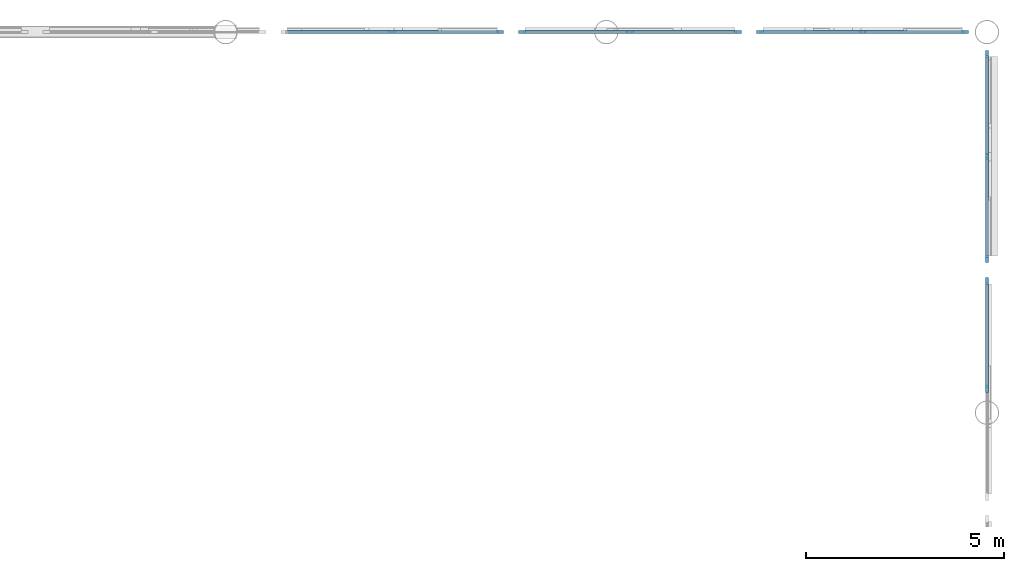
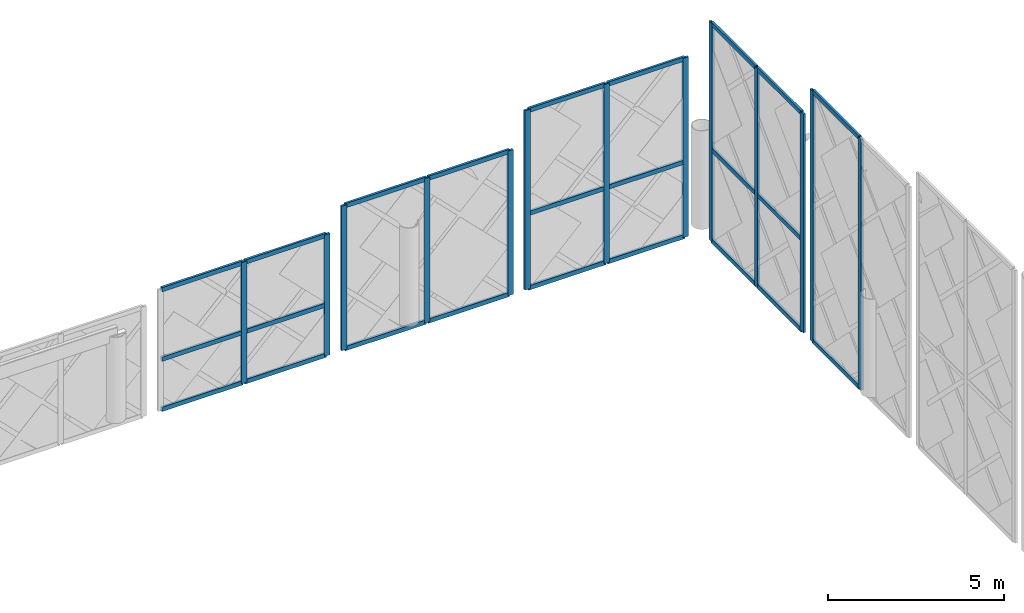
# One storey, part 23 of 53: 37 members, 5 elements without a shape of their own.
"""IFC4 building model written with IfcOpenShell, lengths in metres."""

from ifc_helpers import new_model, si_unit, direction, frame, origin, origin_2d, place, context, subcontext, project, spatial, rectangle, extrude, material, layer, layer_set, material_profile, profile_set, type_object, element, aggregate, save


model = new_model("IFC4")

# Units and contexts
model_context = context("Model", 3, precision=1e-05, world=origin(), true_north=direction((0.0, 1.0)))
body_context = subcontext(model_context, "Body", "Model", "MODEL_VIEW")
ifc_project = project(units=[si_unit("LENGTHUNIT", "METRE"), si_unit("AREAUNIT", "SQUARE_METRE"), si_unit("VOLUMEUNIT", "CUBIC_METRE"), si_unit("PLANEANGLEUNIT", "RADIAN"), si_unit("MASSUNIT", "GRAM", prefix="KILO")], contexts=[model_context])

# Site, building, storey
site_placement = place(None, origin())
site = spatial("IfcSite", under=ifc_project, at=site_placement, CompositionType="ELEMENT")
building_placement = place(site_placement, origin())
building = spatial("IfcBuilding", under=site, at=building_placement, Name="Zevrakil Square Congress Hotel", CompositionType="ELEMENT")
storey_placement = place(building_placement, frame((0.0, 0.0, 14.699951171875)))
storey = spatial("IfcBuildingStorey", under=building, at=storey_placement, Name="L04", CompositionType="ELEMENT", Elevation=14.699951171875)

# Curtain wall, members
ifc_material_1 = material(Name="Aluminium Anodised Bronze", Category="aluminium")
ifc_layer = layer(ifc_material_1, 0.179931640625)
ifc_layer_set = layer_set([ifc_layer], Name="Aluminium Anodised Bronze")
curtain_wall_type = type_object("IfcCurtainWallType", Name="CW-L01-560", PredefinedType="USERDEFINED", material=ifc_layer_set)
curtain_wall_1_placement = place(storey_placement, origin())
curtain_wall_1 = element("IfcCurtainWall", 1, at=curtain_wall_1_placement, inside=storey, type_object=curtain_wall_type, Name="L04 diamond curtain wall CW-L04-0081", ObjectType="GLAZED CURTAIN WALL", PredefinedType="USERDEFINED")
ifc_material_2 = material(Name="Aluminium Anodised Bronze", Category="aluminium")
ifc_material_profile_1 = material_profile(ifc_material_2, rectangle(XDim=0.074951171875, YDim=0.14990234375, at=origin_2d()), Name="ALU 75x150")
ifc_profile_set_1 = profile_set([ifc_material_profile_1], Name="Aluminium Anodised Bronze")
member_type_1 = type_object("IfcMemberType", Name="CWM-ALU75x150", PredefinedType="USERDEFINED", material=ifc_profile_set_1)
member_1_placement = place(storey_placement, frame((165.60009765625, 103.830078125, -0.22998046875), z_axis=(0.0, 1.0, 0.0), x_axis=(-1.0, 0.0, 0.0)))
member_1 = element("IfcMember", 2, at=member_1_placement, type_object=member_type_1, Name="CW-08 transom 2.1", ObjectType="TRANSOM", PredefinedType="USERDEFINED", context=body_context, shape_type="SweptSolid", body=[
    extrude(rectangle(XDim=0.074951171875, YDim=0.14990234375, at=origin_2d()), origin(), (0.0, 0.0, 1.0), 2.659912109375),
])
member_2_placement = place(storey_placement, frame((165.60009765625, 103.830078125, 8.39111328125), z_axis=(0.0, 1.0, 0.0), x_axis=(-1.0, 0.0, 0.0)))
member_2 = element("IfcMember", 3, at=member_2_placement, type_object=member_type_1, Name="CW-08 transom 2.2", ObjectType="TRANSOM", PredefinedType="USERDEFINED", context=body_context, shape_type="SweptSolid", body=[
    extrude(rectangle(XDim=0.074951171875, YDim=0.14990234375, at=origin_2d()), origin(), (0.0, 0.0, 1.0), 2.659912109375),
])

curtain_wall_2_placement = place(storey_placement, origin())
curtain_wall_2 = element("IfcCurtainWall", 4, at=curtain_wall_2_placement, inside=storey, type_object=curtain_wall_type, Name="L04 diamond curtain wall CW-L04-0082", ObjectType="GLAZED CURTAIN WALL", PredefinedType="USERDEFINED")
member_3_placement = place(storey_placement, frame((165.60009765625, 107.110107421875, -0.22998046875), z_axis=(0.0, 1.0, 0.0), x_axis=(-1.0, 0.0, 0.0)))
member_3 = element("IfcMember", 5, at=member_3_placement, type_object=member_type_1, Name="CW-08 transom 1.1", ObjectType="TRANSOM", PredefinedType="USERDEFINED", context=body_context, shape_type="SweptSolid", body=[
    extrude(rectangle(XDim=0.074951171875, YDim=0.14990234375, at=origin_2d()), origin(), (0.0, 0.0, 1.0), 2.52490234375),
])
member_4_placement = place(storey_placement, frame((165.60009765625, 107.110107421875, 2.91357421875), z_axis=(0.0, 1.0, 0.0), x_axis=(-1.0, 0.0, 0.0)))
member_4 = element("IfcMember", 6, at=member_4_placement, type_object=member_type_1, Name="CW-08 transom 1.2", ObjectType="TRANSOM", PredefinedType="USERDEFINED", context=body_context, shape_type="SweptSolid", body=[
    extrude(rectangle(XDim=0.074951171875, YDim=0.14990234375, at=origin_2d()), origin(), (0.0, 0.0, 1.0), 2.52490234375),
])
member_5_placement = place(storey_placement, frame((165.60009765625, 107.110107421875, 7.26611328125), z_axis=(0.0, 1.0, 0.0), x_axis=(-1.0, 0.0, 0.0)))
member_5 = element("IfcMember", 7, at=member_5_placement, type_object=member_type_1, Name="CW-08 transom 1.3", ObjectType="TRANSOM", PredefinedType="USERDEFINED", context=body_context, shape_type="SweptSolid", body=[
    extrude(rectangle(XDim=0.074951171875, YDim=0.14990234375, at=origin_2d()), origin(), (0.0, 0.0, 1.0), 2.52490234375),
])
member_6_placement = place(storey_placement, frame((165.60009765625, 109.695068359375, -0.22998046875), z_axis=(0.0, 1.0, 0.0), x_axis=(-1.0, 0.0, 0.0)))
member_6 = element("IfcMember", 8, at=member_6_placement, type_object=member_type_1, Name="CW-08 transom 2.1", ObjectType="TRANSOM", PredefinedType="USERDEFINED", context=body_context, shape_type="SweptSolid", body=[
    extrude(rectangle(XDim=0.074951171875, YDim=0.14990234375, at=origin_2d()), origin(), (0.0, 0.0, 1.0), 2.52490234375),
])
member_7_placement = place(storey_placement, frame((165.60009765625, 109.695068359375, 2.91357421875), z_axis=(0.0, 1.0, 0.0), x_axis=(-1.0, 0.0, 0.0)))
member_7 = element("IfcMember", 9, at=member_7_placement, type_object=member_type_1, Name="CW-08 transom 2.2", ObjectType="TRANSOM", PredefinedType="USERDEFINED", context=body_context, shape_type="SweptSolid", body=[
    extrude(rectangle(XDim=0.074951171875, YDim=0.14990234375, at=origin_2d()), origin(), (0.0, 0.0, 1.0), 2.52490234375),
])
member_8_placement = place(storey_placement, frame((165.60009765625, 109.695068359375, 7.26611328125), z_axis=(0.0, 1.0, 0.0), x_axis=(-1.0, 0.0, 0.0)))
member_8 = element("IfcMember", 10, at=member_8_placement, type_object=member_type_1, Name="CW-08 transom 2.3", ObjectType="TRANSOM", PredefinedType="USERDEFINED", context=body_context, shape_type="SweptSolid", body=[
    extrude(rectangle(XDim=0.074951171875, YDim=0.14990234375, at=origin_2d()), origin(), (0.0, 0.0, 1.0), 2.52490234375),
])

curtain_wall_3_placement = place(storey_placement, origin())
curtain_wall_3 = element("IfcCurtainWall", 11, at=curtain_wall_3_placement, inside=storey, type_object=curtain_wall_type, Name="L04 diamond curtain wall CW-L04-0096", ObjectType="GLAZED CURTAIN WALL", PredefinedType="USERDEFINED")
member_9_placement = place(storey_placement, frame((147.909912109375, 112.800048828125, -0.22998046875), z_axis=(1.0, 0.0, 0.0), x_axis=(0.0, 1.0, 0.0)))
member_9 = element("IfcMember", 12, at=member_9_placement, type_object=member_type_1, Name="CW-08 transom 1.1", ObjectType="TRANSOM", PredefinedType="USERDEFINED", context=body_context, shape_type="SweptSolid", body=[
    extrude(rectangle(XDim=0.074951171875, YDim=0.14990234375, at=origin_2d()), origin(), (0.0, 0.0, 1.0), 2.66015625),
])
member_10_placement = place(storey_placement, frame((147.909912109375, 112.800048828125, 1.504150390625), z_axis=(1.0, 0.0, 0.0), x_axis=(0.0, 1.0, 0.0)))
member_10 = element("IfcMember", 13, at=member_10_placement, type_object=member_type_1, Name="CW-08 transom 1.2", ObjectType="TRANSOM", PredefinedType="USERDEFINED", context=body_context, shape_type="SweptSolid", body=[
    extrude(rectangle(XDim=0.074951171875, YDim=0.14990234375, at=origin_2d()), origin(), (0.0, 0.0, 1.0), 2.66015625),
])
member_11_placement = place(storey_placement, frame((147.909912109375, 112.800048828125, 3.91015625), z_axis=(1.0, 0.0, 0.0), x_axis=(0.0, 1.0, 0.0)))
member_11 = element("IfcMember", 14, at=member_11_placement, type_object=member_type_1, Name="CW-08 transom 1.3", ObjectType="TRANSOM", PredefinedType="USERDEFINED", context=body_context, shape_type="SweptSolid", body=[
    extrude(rectangle(XDim=0.074951171875, YDim=0.14990234375, at=origin_2d()), origin(), (0.0, 0.0, 1.0), 2.66015625),
])
member_12_placement = place(storey_placement, frame((150.6298828125, 112.800048828125, -0.22998046875), z_axis=(1.0, 0.0, 0.0), x_axis=(0.0, 1.0, 0.0)))
member_12 = element("IfcMember", 15, at=member_12_placement, type_object=member_type_1, Name="CW-08 transom 2.1", ObjectType="TRANSOM", PredefinedType="USERDEFINED", context=body_context, shape_type="SweptSolid", body=[
    extrude(rectangle(XDim=0.074951171875, YDim=0.14990234375, at=origin_2d()), origin(), (0.0, 0.0, 1.0), 2.66015625),
])
member_13_placement = place(storey_placement, frame((150.6298828125, 112.800048828125, 1.504150390625), z_axis=(1.0, 0.0, 0.0), x_axis=(0.0, 1.0, 0.0)))
member_13 = element("IfcMember", 16, at=member_13_placement, type_object=member_type_1, Name="CW-08 transom 2.2", ObjectType="TRANSOM", PredefinedType="USERDEFINED", context=body_context, shape_type="SweptSolid", body=[
    extrude(rectangle(XDim=0.074951171875, YDim=0.14990234375, at=origin_2d()), origin(), (0.0, 0.0, 1.0), 2.66015625),
])
member_14_placement = place(storey_placement, frame((150.6298828125, 112.800048828125, 3.91015625), z_axis=(1.0, 0.0, 0.0), x_axis=(0.0, 1.0, 0.0)))
member_14 = element("IfcMember", 17, at=member_14_placement, type_object=member_type_1, Name="CW-08 transom 2.3", ObjectType="TRANSOM", PredefinedType="USERDEFINED", context=body_context, shape_type="SweptSolid", body=[
    extrude(rectangle(XDim=0.074951171875, YDim=0.14990234375, at=origin_2d()), origin(), (0.0, 0.0, 1.0), 2.66015625),
])

curtain_wall_4_placement = place(storey_placement, origin())
curtain_wall_4 = element("IfcCurtainWall", 18, at=curtain_wall_4_placement, inside=storey, type_object=curtain_wall_type, Name="L04 diamond curtain wall CW-L04-0097", ObjectType="GLAZED CURTAIN WALL", PredefinedType="USERDEFINED")
member_15_placement = place(storey_placement, frame((153.909912109375, 112.800048828125, -0.22998046875), z_axis=(1.0, 0.0, 0.0), x_axis=(0.0, 1.0, 0.0)))
member_15 = element("IfcMember", 19, at=member_15_placement, type_object=member_type_1, Name="CW-08 transom 1.1", ObjectType="TRANSOM", PredefinedType="USERDEFINED", context=body_context, shape_type="SweptSolid", body=[
    extrude(rectangle(XDim=0.074951171875, YDim=0.14990234375, at=origin_2d()), origin(), (0.0, 0.0, 1.0), 2.66015625),
])
member_16_placement = place(storey_placement, frame((153.909912109375, 112.800048828125, 4.7099609375), z_axis=(1.0, 0.0, 0.0), x_axis=(0.0, 1.0, 0.0)))
member_16 = element("IfcMember", 20, at=member_16_placement, type_object=member_type_1, Name="CW-08 transom 1.2", ObjectType="TRANSOM", PredefinedType="USERDEFINED", context=body_context, shape_type="SweptSolid", body=[
    extrude(rectangle(XDim=0.074951171875, YDim=0.14990234375, at=origin_2d()), origin(), (0.0, 0.0, 1.0), 2.66015625),
])
member_17_placement = place(storey_placement, frame((156.6298828125, 112.800048828125, -0.22998046875), z_axis=(1.0, 0.0, 0.0), x_axis=(0.0, 1.0, 0.0)))
member_17 = element("IfcMember", 21, at=member_17_placement, type_object=member_type_1, Name="CW-08 transom 2.1", ObjectType="TRANSOM", PredefinedType="USERDEFINED", context=body_context, shape_type="SweptSolid", body=[
    extrude(rectangle(XDim=0.074951171875, YDim=0.14990234375, at=origin_2d()), origin(), (0.0, 0.0, 1.0), 2.66015625),
])
member_18_placement = place(storey_placement, frame((156.6298828125, 112.800048828125, 4.7099609375), z_axis=(1.0, 0.0, 0.0), x_axis=(0.0, 1.0, 0.0)))
member_18 = element("IfcMember", 22, at=member_18_placement, type_object=member_type_1, Name="CW-08 transom 2.2", ObjectType="TRANSOM", PredefinedType="USERDEFINED", context=body_context, shape_type="SweptSolid", body=[
    extrude(rectangle(XDim=0.074951171875, YDim=0.14990234375, at=origin_2d()), origin(), (0.0, 0.0, 1.0), 2.66015625),
])

curtain_wall_5_placement = place(storey_placement, origin())
curtain_wall_5 = element("IfcCurtainWall", 23, at=curtain_wall_5_placement, inside=storey, type_object=curtain_wall_type, Name="L04 diamond curtain wall CW-L04-0098", ObjectType="GLAZED CURTAIN WALL", PredefinedType="USERDEFINED")
member_19_placement = place(storey_placement, frame((159.909912109375, 112.800048828125, -0.22998046875), z_axis=(1.0, 0.0, 0.0), x_axis=(0.0, 1.0, 0.0)))
member_19 = element("IfcMember", 24, at=member_19_placement, type_object=member_type_1, Name="CW-08 transom 1.1", ObjectType="TRANSOM", PredefinedType="USERDEFINED", context=body_context, shape_type="SweptSolid", body=[
    extrude(rectangle(XDim=0.074951171875, YDim=0.14990234375, at=origin_2d()), origin(), (0.0, 0.0, 1.0), 2.525146484375),
])
member_20_placement = place(storey_placement, frame((159.909912109375, 112.800048828125, 2.343994140625), z_axis=(1.0, 0.0, 0.0), x_axis=(0.0, 1.0, 0.0)))
member_20 = element("IfcMember", 25, at=member_20_placement, type_object=member_type_1, Name="CW-08 transom 1.2", ObjectType="TRANSOM", PredefinedType="USERDEFINED", context=body_context, shape_type="SweptSolid", body=[
    extrude(rectangle(XDim=0.074951171875, YDim=0.14990234375, at=origin_2d()), origin(), (0.0, 0.0, 1.0), 2.525146484375),
])
member_21_placement = place(storey_placement, frame((159.909912109375, 112.800048828125, 5.91015625), z_axis=(1.0, 0.0, 0.0), x_axis=(0.0, 1.0, 0.0)))
member_21 = element("IfcMember", 26, at=member_21_placement, type_object=member_type_1, Name="CW-08 transom 1.3", ObjectType="TRANSOM", PredefinedType="USERDEFINED", context=body_context, shape_type="SweptSolid", body=[
    extrude(rectangle(XDim=0.074951171875, YDim=0.14990234375, at=origin_2d()), origin(), (0.0, 0.0, 1.0), 2.525146484375),
])
member_22_placement = place(storey_placement, frame((162.4951171875, 112.800048828125, -0.22998046875), z_axis=(1.0, 0.0, 0.0), x_axis=(0.0, 1.0, 0.0)))
member_22 = element("IfcMember", 27, at=member_22_placement, type_object=member_type_1, Name="CW-08 transom 2.1", ObjectType="TRANSOM", PredefinedType="USERDEFINED", context=body_context, shape_type="SweptSolid", body=[
    extrude(rectangle(XDim=0.074951171875, YDim=0.14990234375, at=origin_2d()), origin(), (0.0, 0.0, 1.0), 2.52490234375),
])
member_23_placement = place(storey_placement, frame((162.4951171875, 112.800048828125, 2.343994140625), z_axis=(1.0, 0.0, 0.0), x_axis=(0.0, 1.0, 0.0)))
member_23 = element("IfcMember", 28, at=member_23_placement, type_object=member_type_1, Name="CW-08 transom 2.2", ObjectType="TRANSOM", PredefinedType="USERDEFINED", context=body_context, shape_type="SweptSolid", body=[
    extrude(rectangle(XDim=0.074951171875, YDim=0.14990234375, at=origin_2d()), origin(), (0.0, 0.0, 1.0), 2.52490234375),
])
member_24_placement = place(storey_placement, frame((162.4951171875, 112.800048828125, 5.91015625), z_axis=(1.0, 0.0, 0.0), x_axis=(0.0, 1.0, 0.0)))
member_24 = element("IfcMember", 29, at=member_24_placement, type_object=member_type_1, Name="CW-08 transom 2.3", ObjectType="TRANSOM", PredefinedType="USERDEFINED", context=body_context, shape_type="SweptSolid", body=[
    extrude(rectangle(XDim=0.074951171875, YDim=0.14990234375, at=origin_2d()), origin(), (0.0, 0.0, 1.0), 2.52490234375),
])

# Member
ifc_material_3 = material(Name="Aluminium Anodised Bronze", Category="aluminium")
ifc_material_profile_2 = material_profile(ifc_material_3, rectangle(XDim=0.074951171875, YDim=0.179931640625, at=origin_2d()), Name="ALU 75x180")
ifc_profile_set_2 = profile_set([ifc_material_profile_2], Name="Aluminium Anodised Bronze")
member_type_2 = type_object("IfcMemberType", Name="CWM-ALU75x180", PredefinedType="MULLION", material=ifc_profile_set_2)
member_25_placement = place(storey_placement, frame((165.60009765625, 103.800048828125, -0.260009765625), z_axis=(0.0, 0.0, 1.0), x_axis=(-1.0, 0.0, 0.0)))
member_25 = element("IfcMember", 30, at=member_25_placement, type_object=member_type_2, Name="CW-08 mullion 2", PredefinedType="MULLION", context=body_context, shape_type="SweptSolid", body=[
    extrude(rectangle(XDim=0.074951171875, YDim=0.179931640625, at=origin_2d()), origin(), (0.0, 0.0, 1.0), 8.68115234375),
])

member_26_placement = place(storey_placement, frame((165.60009765625, 106.52001953125, -0.260009765625), z_axis=(0.0, 0.0, 1.0), x_axis=(-1.0, 0.0, 0.0)))
member_26 = element("IfcMember", 31, at=member_26_placement, type_object=member_type_2, Name="CW-08 mullion 3", PredefinedType="MULLION", context=body_context, shape_type="SweptSolid", body=[
    extrude(rectangle(XDim=0.074951171875, YDim=0.179931640625, at=origin_2d()), origin(), (0.0, 0.0, 1.0), 8.68115234375),
])

aggregate(curtain_wall_1, [member_25, member_26, member_1, member_2])

member_27_placement = place(storey_placement, frame((165.60009765625, 107.080078125, -0.260009765625), z_axis=(0.0, 0.0, 1.0), x_axis=(-1.0, 0.0, 0.0)))
member_27 = element("IfcMember", 32, at=member_27_placement, type_object=member_type_2, Name="CW-08 mullion 1", PredefinedType="MULLION", context=body_context, shape_type="SweptSolid", body=[
    extrude(rectangle(XDim=0.074951171875, YDim=0.179931640625, at=origin_2d()), origin(), (0.0, 0.0, 1.0), 7.55615234375),
])

member_28_placement = place(storey_placement, frame((165.60009765625, 109.6650390625, -0.260009765625), z_axis=(0.0, 0.0, 1.0), x_axis=(-1.0, 0.0, 0.0)))
member_28 = element("IfcMember", 33, at=member_28_placement, type_object=member_type_2, Name="CW-08 mullion 2", PredefinedType="MULLION", context=body_context, shape_type="SweptSolid", body=[
    extrude(rectangle(XDim=0.074951171875, YDim=0.179931640625, at=origin_2d()), origin(), (0.0, 0.0, 1.0), 7.55615234375),
])

member_29_placement = place(storey_placement, frame((165.60009765625, 112.25, -0.260009765625), z_axis=(0.0, 0.0, 1.0), x_axis=(-1.0, 0.0, 0.0)))
member_29 = element("IfcMember", 34, at=member_29_placement, type_object=member_type_2, Name="CW-08 mullion 3", PredefinedType="MULLION", context=body_context, shape_type="SweptSolid", body=[
    extrude(rectangle(XDim=0.074951171875, YDim=0.179931640625, at=origin_2d()), origin(), (0.0, 0.0, 1.0), 7.55615234375),
])

aggregate(curtain_wall_2, [member_27, member_28, member_29, member_3, member_4, member_5, member_6, member_7, member_8])

member_30_placement = place(storey_placement, frame((150.60009765625, 112.800048828125, -0.260009765625), z_axis=(0.0, 0.0, 1.0), x_axis=(0.0, 1.0, 0.0)))
member_30 = element("IfcMember", 35, at=member_30_placement, type_object=member_type_2, Name="CW-08 mullion 2", PredefinedType="MULLION", context=body_context, shape_type="SweptSolid", body=[
    extrude(rectangle(XDim=0.074951171875, YDim=0.179931640625, at=origin_2d()), origin(), (0.0, 0.0, 1.0), 4.199951171875),
])

member_31_placement = place(storey_placement, frame((153.320068359375, 112.800048828125, -0.260009765625), z_axis=(0.0, 0.0, 1.0), x_axis=(0.0, 1.0, 0.0)))
member_31 = element("IfcMember", 36, at=member_31_placement, type_object=member_type_2, Name="CW-08 mullion 3", PredefinedType="MULLION", context=body_context, shape_type="SweptSolid", body=[
    extrude(rectangle(XDim=0.074951171875, YDim=0.179931640625, at=origin_2d()), origin(), (0.0, 0.0, 1.0), 4.199951171875),
])

aggregate(curtain_wall_3, [member_30, member_31, member_9, member_10, member_11, member_12, member_13, member_14])

member_32_placement = place(storey_placement, frame((153.8798828125, 112.800048828125, -0.260009765625), z_axis=(0.0, 0.0, 1.0), x_axis=(0.0, 1.0, 0.0)))
member_32 = element("IfcMember", 37, at=member_32_placement, type_object=member_type_2, Name="CW-08 mullion 1", PredefinedType="MULLION", context=body_context, shape_type="SweptSolid", body=[
    extrude(rectangle(XDim=0.074951171875, YDim=0.179931640625, at=origin_2d()), origin(), (0.0, 0.0, 1.0), 5.0),
])

member_33_placement = place(storey_placement, frame((156.60009765625, 112.800048828125, -0.260009765625), z_axis=(0.0, 0.0, 1.0), x_axis=(0.0, 1.0, 0.0)))
member_33 = element("IfcMember", 38, at=member_33_placement, type_object=member_type_2, Name="CW-08 mullion 2", PredefinedType="MULLION", context=body_context, shape_type="SweptSolid", body=[
    extrude(rectangle(XDim=0.074951171875, YDim=0.179931640625, at=origin_2d()), origin(), (0.0, 0.0, 1.0), 5.0),
])

member_34_placement = place(storey_placement, frame((159.320068359375, 112.800048828125, -0.260009765625), z_axis=(0.0, 0.0, 1.0), x_axis=(0.0, 1.0, 0.0)))
member_34 = element("IfcMember", 39, at=member_34_placement, type_object=member_type_2, Name="CW-08 mullion 3", PredefinedType="MULLION", context=body_context, shape_type="SweptSolid", body=[
    extrude(rectangle(XDim=0.074951171875, YDim=0.179931640625, at=origin_2d()), origin(), (0.0, 0.0, 1.0), 5.0),
])

aggregate(curtain_wall_4, [member_32, member_33, member_34, member_15, member_16, member_17, member_18])

member_35_placement = place(storey_placement, frame((159.8798828125, 112.800048828125, -0.260009765625), z_axis=(0.0, 0.0, 1.0), x_axis=(0.0, 1.0, 0.0)))
member_35 = element("IfcMember", 40, at=member_35_placement, type_object=member_type_2, Name="CW-08 mullion 1", PredefinedType="MULLION", context=body_context, shape_type="SweptSolid", body=[
    extrude(rectangle(XDim=0.074951171875, YDim=0.179931640625, at=origin_2d()), origin(), (0.0, 0.0, 1.0), 6.199951171875),
])

member_36_placement = place(storey_placement, frame((162.465087890625, 112.800048828125, -0.260009765625), z_axis=(0.0, 0.0, 1.0), x_axis=(0.0, 1.0, 0.0)))
member_36 = element("IfcMember", 41, at=member_36_placement, type_object=member_type_2, Name="CW-08 mullion 2", PredefinedType="MULLION", context=body_context, shape_type="SweptSolid", body=[
    extrude(rectangle(XDim=0.074951171875, YDim=0.179931640625, at=origin_2d()), origin(), (0.0, 0.0, 1.0), 6.199951171875),
])

member_37_placement = place(storey_placement, frame((165.050048828125, 112.800048828125, -0.260009765625), z_axis=(0.0, 0.0, 1.0), x_axis=(0.0, 1.0, 0.0)))
member_37 = element("IfcMember", 42, at=member_37_placement, type_object=member_type_2, Name="CW-08 mullion 3", PredefinedType="MULLION", context=body_context, shape_type="SweptSolid", body=[
    extrude(rectangle(XDim=0.074951171875, YDim=0.179931640625, at=origin_2d()), origin(), (0.0, 0.0, 1.0), 6.199951171875),
])

aggregate(curtain_wall_5, [member_35, member_36, member_37, member_19, member_20, member_21, member_22, member_23, member_24])

save(model, "model.ifc")
